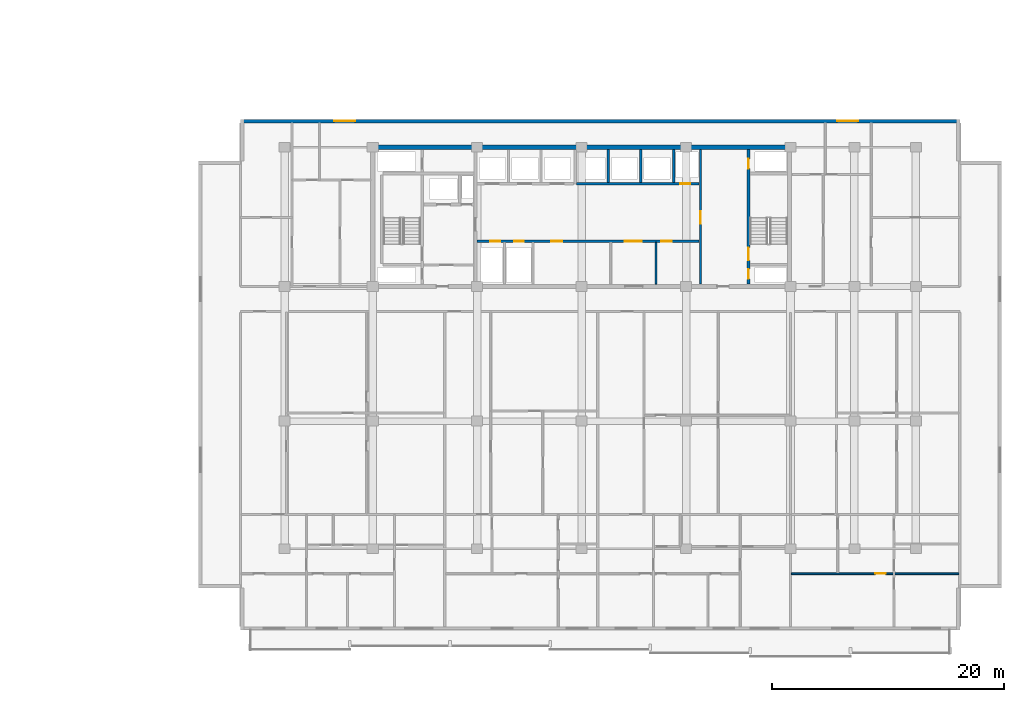
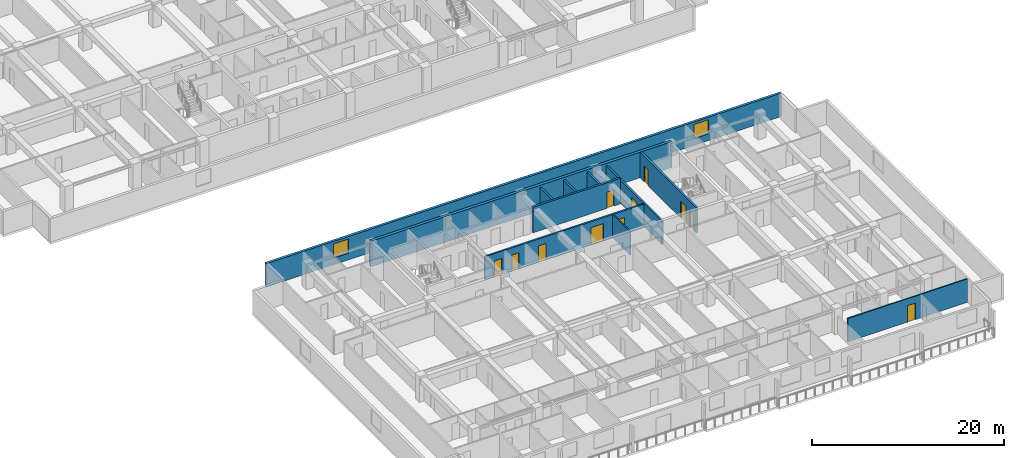
# One storey, part 8 of 23: 11 doors, 11 walls, 2 windows, 13 openings.
"""IFC4 building model written with IfcOpenShell, lengths in metres."""

import ifcopenshell
import ifcopenshell.guid

model = None  # the IFC model being written
_history = None  # IfcOwnerHistory: only IFC2X3 demands one
_inside = {}  # id of a spatial element -> (the spatial element, [elements in it])
_under = {}  # id of a project, library or spatial element -> (it, [spatial elements below it])
_declared = {}  # id of a project -> (the project, [libraries it declares])
_typed = {}  # id of a type object -> (the type object, [elements of that type])
_made_of = {}  # id of a material, layer set ... -> (it, [elements and type objects made of it])


def new_model(schema):
    """Start an empty IFC model of exactly this schema.

    Asked for "IFC4X3", IfcOpenShell would pick the latest addendum, in which some entities
    have other attributes; the version numbers below select the first issue.
    IFC2X3 requires an IfcOwnerHistory on every rooted entity: one is made here for all.
    """
    global model, _history
    if schema == "IFC4X3":
        model = ifcopenshell.file(schema_version=(4, 3, 0, 0))
    else:
        model = ifcopenshell.file(schema=schema)
    _inside.clear()
    _under.clear()
    _declared.clear()
    _typed.clear()
    _made_of.clear()
    _history = None
    if model.schema == "IFC2X3":
        org = make("IfcOrganization", Name="unknown")
        user = make(
            "IfcPersonAndOrganization",
            ThePerson=make("IfcPerson", FamilyName="unknown"),
            TheOrganization=org,
        )
        app = make(
            "IfcApplication",
            ApplicationDeveloper=org,
            Version="unknown",
            ApplicationFullName="unknown",
            ApplicationIdentifier="unknown",
        )
        _history = make(
            "IfcOwnerHistory",
            OwningUser=user,
            OwningApplication=app,
            ChangeAction="ADDED",
            CreationDate=0,
        )
    return model


def make(cls, **values):
    """One entity of the class cls with the attributes given. An attribute that is None is left unset."""
    return model.create_entity(
        cls, **{name: value for name, value in values.items() if value is not None}
    )


def rooted(cls, **values):
    """An entity with a GlobalId (a new one), such as an element, a storey or a relation."""
    return make(cls, GlobalId=ifcopenshell.guid.new(), OwnerHistory=_history, **values)


def si_unit(unit_type, name, prefix=None):
    """IfcSIUnit, for example si_unit("LENGTHUNIT", "METRE", prefix="MILLI")."""
    return make("IfcSIUnit", UnitType=unit_type, Prefix=prefix, Name=name)


def assignment(units):
    """IfcUnitAssignment: the units of a project."""
    return None if units is None else make("IfcUnitAssignment", Units=units)


def point(xyz):
    """IfcCartesianPoint."""
    return None if xyz is None else make("IfcCartesianPoint", Coordinates=xyz)


def direction(xyz):
    """IfcDirection."""
    return None if xyz is None else make("IfcDirection", DirectionRatios=xyz)


def frame(location, z_axis=None, x_axis=None):
    """IfcAxis2Placement3D, a coordinate frame: its origin and axes. An axis left out is left unset."""
    return make(
        "IfcAxis2Placement3D",
        Location=point(location),
        Axis=direction(z_axis),
        RefDirection=direction(x_axis),
    )


def frame_2d(location, x_axis=None):
    """IfcAxis2Placement2D, a coordinate frame in the plane: its origin and x axis."""
    return make(
        "IfcAxis2Placement2D", Location=point(location), RefDirection=direction(x_axis)
    )


def origin():
    """The frame at (0, 0, 0) with its axes left unset."""
    return frame((0.0, 0.0, 0.0))


def place(relative_to, where):
    """IfcLocalPlacement: puts the frame where relative to a parent placement (None: the world)."""
    return make(
        "IfcLocalPlacement", PlacementRelTo=relative_to, RelativePlacement=where
    )


def context(
    kind, dimensions, precision=None, world=None, true_north=None, identifier=None
):
    """IfcGeometricRepresentationContext, for example the 3D "Model" context."""
    return make(
        "IfcGeometricRepresentationContext",
        ContextIdentifier=identifier,
        ContextType=kind,
        CoordinateSpaceDimension=dimensions,
        Precision=precision,
        WorldCoordinateSystem=world,
        TrueNorth=true_north,
    )


def subcontext(parent, identifier, kind, view, scale=None):
    """IfcGeometricRepresentationSubContext, for example "Body" below "Model"."""
    return make(
        "IfcGeometricRepresentationSubContext",
        ContextIdentifier=identifier,
        ContextType=kind,
        ParentContext=parent,
        TargetScale=scale,
        TargetView=view,
    )


def project(units=None, contexts=None):
    """IfcProject with its units and contexts."""
    return rooted(
        "IfcProject",
        Name="project",
        RepresentationContexts=contexts,
        UnitsInContext=assignment(units),
    )


def spatial(cls, under=None, at=None, **own):
    """A site, building, storey or space (cls), placed at a placement, below another one or the project."""
    s = rooted(cls, ObjectPlacement=at, **own)
    if under is not None:
        _under.setdefault(under.id(), (under, []))[1].append(s)
    return s


def profile(cls, at=None, kind="AREA", **sizes):
    """A parametric profile (cls). Its sizes go by their IFC names, for example OverallWidth=200.0."""
    return make(cls, ProfileType=kind, Position=at, **sizes)


def rectangle(**sizes):
    """IfcRectangleProfileDef."""
    return profile("IfcRectangleProfileDef", **sizes)


def extrude(swept, where, along, depth):
    """IfcExtrudedAreaSolid: the profile swept, set in the frame where, extruded along a direction by depth."""
    return make(
        "IfcExtrudedAreaSolid",
        SweptArea=swept,
        Position=where,
        ExtrudedDirection=direction(along),
        Depth=depth,
    )


def shape(context_of_items, identifier, shape_type, items):
    """IfcShapeRepresentation: the items that make up one representation, for example the "Body"."""
    return make(
        "IfcShapeRepresentation",
        ContextOfItems=context_of_items,
        RepresentationIdentifier=identifier,
        RepresentationType=shape_type,
        Items=items,
    )


def material(Name=None, Category=None):
    """IfcMaterial."""
    return make("IfcMaterial", Name=Name, Category=Category)


def layer(
    of_material, thickness, ventilated=None, Name=None, Category=None, Priority=None
):
    """IfcMaterialLayer: one layer of a wall or slab, of a material (None: an air gap)."""
    return make(
        "IfcMaterialLayer",
        Material=of_material,
        LayerThickness=thickness,
        IsVentilated=ventilated,
        Name=Name,
        Category=Category,
        Priority=Priority,
    )


def layer_set(layers, Name=None):
    """IfcMaterialLayerSet."""
    return make("IfcMaterialLayerSet", MaterialLayers=layers, LayerSetName=Name)


def made_of(thing, what):
    """Note that an element or type object is made of a material, layer set ...; save() writes the relation."""
    if what is not None:
        _made_of.setdefault(what.id(), (what, []))[1].append(thing)
    return thing


def type_object(cls, material=None, **own):
    """A type object (cls), such as IfcWallType, which elements share."""
    return made_of(rooted(cls, **own), material)


def element(
    cls,
    number,
    at=None,
    inside=None,
    cuts=None,
    type_object=None,
    material=None,
    context=None,
    identifier="Body",
    shape_type=None,
    held_by="IfcProductDefinitionShape",
    body=None,
    shapes=None,
    **own,
):
    """One element of the class cls, such as IfcWall. Its Tag is "e" and its number.

    at: its placement. inside: the storey or other place that contains it. cuts: it is an
    opening in that element (IfcRelVoidsElement). A single representation is given by context,
    identifier, shape_type and body (its items); several are given by shapes. held_by: the class
    of the entity that holds the representations. save() writes the other relations.
    """
    e = rooted(cls, Tag="e%d" % number, ObjectPlacement=at, **own)
    if body is not None:
        shapes = [shape(context, identifier, shape_type, body)]
    if shapes is not None:
        e.Representation = make(held_by, Representations=shapes)
    if inside is not None:
        _inside.setdefault(inside.id(), (inside, []))[1].append(e)
    if cuts is not None:
        rooted(
            "IfcRelVoidsElement", RelatingBuildingElement=cuts, RelatedOpeningElement=e
        )
    if type_object is not None:
        _typed.setdefault(type_object.id(), (type_object, []))[1].append(e)
    return made_of(e, material)


def fill(opening, filler):
    """IfcRelFillsElement: the door or window that sits in an opening."""
    return rooted(
        "IfcRelFillsElement",
        RelatingOpeningElement=opening,
        RelatedBuildingElement=filler,
    )


def aggregate(whole, parts):
    """IfcRelAggregates: a whole, such as a stair, and the parts it consists of."""
    return rooted("IfcRelAggregates", RelatingObject=whole, RelatedObjects=parts)


def save(model, path):
    """Write the relations noted so far, then the file.

    IfcRelAggregates (storeys below a building ...), IfcRelContainedInSpatialStructure (elements
    in a storey), IfcRelDefinesByType, IfcRelAssociatesMaterial and IfcRelDeclares: one each for
    every whole, place, type object, material and project.
    """
    for whole, parts in _under.values():
        aggregate(whole, parts)
    for where, things in _inside.values():
        rooted(
            "IfcRelContainedInSpatialStructure",
            RelatedElements=things,
            RelatingStructure=where,
        )
    for kind, things in _typed.values():
        rooted("IfcRelDefinesByType", RelatedObjects=things, RelatingType=kind)
    for what, things in _made_of.values():
        rooted("IfcRelAssociatesMaterial", RelatedObjects=things, RelatingMaterial=what)
    for by, libraries in _declared.values():
        rooted("IfcRelDeclares", RelatingContext=by, RelatedDefinitions=libraries)
    model.write(path)


model = new_model("IFC4")

# Units and contexts
model_context = context("Model", 3, precision=1e-05, world=origin(), true_north=direction((0.0, 1.0)))
body_context = subcontext(model_context, "Body", "Model", "MODEL_VIEW")
ifc_project = project(units=[si_unit("LENGTHUNIT", "METRE"), si_unit("AREAUNIT", "SQUARE_METRE"), si_unit("VOLUMEUNIT", "CUBIC_METRE"), si_unit("PLANEANGLEUNIT", "RADIAN"), si_unit("MASSUNIT", "GRAM", prefix="KILO")], contexts=[model_context])

# Site, building, storey
site_placement = place(None, origin())
site = spatial("IfcSite", under=ifc_project, at=site_placement, CompositionType="ELEMENT")
building_placement = place(site_placement, origin())
building = spatial("IfcBuilding", under=site, at=building_placement, Name="Korimba Cascade Residences", CompositionType="ELEMENT")
storey_placement = place(building_placement, frame((0.0, 0.0, 72.75)))
storey = spatial("IfcBuildingStorey", under=building, at=storey_placement, Name="L20", CompositionType="ELEMENT", Elevation=72.75)

# Wall, openings, windows
ifc_material_1 = material(Name="Precast concrete C40/50", Category="concrete")
ifc_layer_1 = layer(ifc_material_1, 0.300048828125)
ifc_layer_set_1 = layer_set([ifc_layer_1], Name="Precast concrete C40/50")
wall_type_1 = type_object("IfcWallType", Name="EW-STONE-300", PredefinedType="STANDARD", material=ifc_layer_set_1)
wall_1_placement = place(storey_placement, frame((132.699951171875, 32.64990234375, 0.0), z_axis=(0.0, 0.0, 1.0), x_axis=(-1.0, 0.0, 0.0)))
wall_1 = element("IfcWall", 1, at=wall_1_placement, inside=storey, type_object=wall_type_1, Name="L20 T2 Perimeter Stone Wall E06", PredefinedType="STANDARD", context=body_context, shape_type="SweptSolid", body=[
    extrude(rectangle(XDim=62.0, YDim=0.300048828125, at=frame_2d((31.0, 0.0))), origin(), (0.0, 0.0, 1.0), 2.969970703125),
])
opening_1_placement = place(wall_1_placement, frame((52.125, 0.0, 0.85009765625)))
opening_1 = element("IfcOpeningElement", 2, at=opening_1_placement, cuts=wall_1, Name="Opening W-02", PredefinedType="OPENING", context=body_context, shape_type="SweptSolid", body=[
    extrude(rectangle(XDim=1.800048828125, YDim=1.800048828125, at=frame_2d((0.89990234375, 0.89990234375))), frame((0.0, 0.16015625, 0.0), z_axis=(0.0, -1.0, 0.0), x_axis=(1.0, 0.0, 0.0)), (0.0, 0.0, 1.0), 0.320068359375),
])
opening_2_placement = place(wall_1_placement, frame((8.77490234375, 0.0, 0.85009765625)))
opening_2 = element("IfcOpeningElement", 3, at=opening_2_placement, cuts=wall_1, Name="Opening W-02", PredefinedType="OPENING", context=body_context, shape_type="SweptSolid", body=[
    extrude(rectangle(XDim=1.800048828125, YDim=1.800048828125, at=frame_2d((0.89990234375, 0.89990234375))), frame((0.0, 0.16015625, 0.0), z_axis=(0.0, -1.0, 0.0), x_axis=(1.0, 0.0, 0.0)), (0.0, 0.0, 1.0), 0.320068359375),
])
ifc_material_2 = material(Name="Double-Glazed Aluminium Window", Category="aluminium")
window_type = type_object("IfcWindowType", Name="WIN-BED-1800", PartitioningType="SINGLE_PANEL", PredefinedType="WINDOW", material=ifc_material_2)
window_1_placement = place(opening_1_placement, origin())
window_1 = element("IfcWindow", 4, at=window_1_placement, inside=storey, type_object=window_type, Name="L20 T2 North Corner Bedroom Window 1", OverallHeight=1.800048828125, OverallWidth=1.800048828125, PartitioningType="SINGLE_PANEL", PredefinedType="WINDOW", context=body_context, shape_type="SweptSolid", body=[
    extrude(rectangle(XDim=1.800048828125, YDim=1.800048828125, at=frame_2d((0.89990234375, 0.89990234375))), frame((0.0, 0.030029296875, 0.0), z_axis=(0.0, -1.0, 0.0), x_axis=(1.0, 0.0, 0.0)), (0.0, 0.0, 1.0), 0.06005859375),
])
fill(opening_1, window_1)
window_2_placement = place(opening_2_placement, origin())
window_2 = element("IfcWindow", 5, at=window_2_placement, inside=storey, type_object=window_type, Name="L20 T2 North Corner Bedroom Window 2", OverallHeight=1.800048828125, OverallWidth=1.800048828125, PartitioningType="SINGLE_PANEL", PredefinedType="WINDOW", context=body_context, shape_type="SweptSolid", body=[
    extrude(rectangle(XDim=1.800048828125, YDim=1.800048828125, at=frame_2d((0.89990234375, 0.89990234375))), frame((0.0, 0.030029296875, 0.0), z_axis=(0.0, -1.0, 0.0), x_axis=(1.0, 0.0, 0.0)), (0.0, 0.0, 1.0), 0.06005859375),
])
fill(opening_2, window_2)

# Walls
ifc_material_3 = material(Name="Concrete C65/80", Category="concrete")
ifc_layer_2 = layer(ifc_material_3, 0.35009765625)
ifc_layer_set_2 = layer_set([ifc_layer_2], Name="Concrete C65/80")
wall_type_2 = type_object("IfcWallType", Name="WAL-CORE-350", PredefinedType="SHEAR", material=ifc_layer_set_2)
wall_2_placement = place(storey_placement, frame((81.925048828125, 30.39990234375, 0.0), z_axis=(0.0, 0.0, 1.0), x_axis=(1.0, 0.0, 0.0)))
element("IfcWall", 6, at=wall_2_placement, inside=storey, type_object=wall_type_2, Name="L20 Core Shear Wall CW-L20-T2-N", PredefinedType="SHEAR", context=body_context, shape_type="SweptSolid", body=[
    extrude(rectangle(XDim=36.264892578125, YDim=0.35009765625, at=frame_2d((18.13232421875, 0.0))), origin(), (0.0, 0.0, 1.0), 3.25),
])
ifc_material_4 = material(Name="Insulated Acoustic Stud Partition", Category="gypsum")
ifc_layer_3 = layer(ifc_material_4, 0.14990234375)
ifc_layer_set_3 = layer_set([ifc_layer_3], Name="Insulated Acoustic Stud Partition")
wall_type_3 = type_object("IfcWallType", Name="WAL-PART-150", PredefinedType="PARTITIONING", material=ifc_layer_set_3)
wall_3_placement = place(storey_placement, frame((106.5, 18.60009765625, 0.0), z_axis=(0.0, 0.0, 1.0), x_axis=(0.0, 1.0, 0.0)))
element("IfcWall", 7, at=wall_3_placement, inside=storey, type_object=wall_type_3, Name="L20 Partition Wall CW-L20-T2-THE", PredefinedType="PARTITIONING", context=body_context, shape_type="SweptSolid", body=[
    extrude(rectangle(XDim=3.599853515625, YDim=0.14990234375, at=frame_2d((1.7998046875, 0.0))), origin(), (0.0, 0.0, 1.0), 2.969970703125),
])

# Wall, opening, door
wall_4_placement = place(storey_placement, frame((118.179931640625, -6.35009765625, 0.0), z_axis=(0.0, 0.0, 1.0), x_axis=(1.0, 0.0, 0.0)))
wall_4 = element("IfcWall", 8, at=wall_4_placement, inside=storey, type_object=wall_type_3, Name="L20 Partition Wall WAL-L20-T2-U04-HZ", PredefinedType="PARTITIONING", context=body_context, shape_type="SweptSolid", body=[
    extrude(rectangle(XDim=14.440185546875, YDim=0.14990234375, at=frame_2d((7.22021484375, 0.0))), origin(), (0.0, 0.0, 1.0), 2.969970703125),
])
opening_3_placement = place(wall_4_placement, frame((7.2060546875, 0.0, 0.0)))
opening_3 = element("IfcOpeningElement", 9, at=opening_3_placement, cuts=wall_4, Name="Opening D-IN0", PredefinedType="OPENING", context=body_context, shape_type="SweptSolid", body=[
    extrude(rectangle(XDim=0.93994140625, YDim=2.10009765625, at=frame_2d((0.469970703125, 1.050048828125))), frame((0.0, 0.0849609375, 0.0), z_axis=(0.0, -1.0, 0.0), x_axis=(1.0, 0.0, 0.0)), (0.0, 0.0, 1.0), 0.169921875),
])
ifc_material_5 = material(Name="Acoustic Timber Living Archway Door", Category="wood")
door_type_1 = type_object("IfcDoorType", Name="DR-INT-950", OperationType="NOTDEFINED", PredefinedType="DOOR", material=ifc_material_5)
door_1_placement = place(opening_3_placement, origin())
door_1 = element("IfcDoor", 10, at=door_1_placement, inside=storey, type_object=door_type_1, Name="L20-T2-U04 Living Archway Door", OperationType="SINGLE_SWING_LEFT", OverallHeight=2.10009765625, OverallWidth=0.93994140625, PredefinedType="DOOR", context=body_context, shape_type="SweptSolid", body=[
    extrude(rectangle(XDim=0.93994140625, YDim=2.10009765625, at=frame_2d((0.469970703125, 1.050048828125))), frame((0.0, 0.02490234375, 0.0), z_axis=(0.0, -1.0, 0.0), x_axis=(1.0, 0.0, 0.0)), (0.0, 0.0, 1.0), 0.050048828125),
])
fill(opening_3, door_1)

# Walls
ifc_material_6 = material(Name="Concrete C40/50", Category="concrete")
ifc_layer_4 = layer(ifc_material_6, 0.199951171875)
ifc_layer_set_4 = layer_set([ifc_layer_4], Name="Concrete C40/50")
wall_type_4 = type_object("IfcWallType", Name="WAL-PART-200", PredefinedType="PARTITIONING", material=ifc_layer_set_4)
for number, where, z_axis, x_axis, name in (
    (11, (102.39990234375, 27.3798828125, 0.0), (0.0, 0.0, 1.0), (0.0, 1.0, 0.0), "L20 Partition Wall CW-L20-T2-B2D1"),
    (12, (105.199951171875, 27.3798828125, 0.0), (0.0, 0.0, 1.0), (0.0, 1.0, 0.0), "L20 Partition Wall CW-L20-T2-B2D2"),
    (13, (108.050048828125, 27.3798828125, 0.0), (0.0, 0.0, 1.0), (0.0, 1.0, 0.0), "L20 Partition Wall CW-L20-T2-B2D3"),
):
    element("IfcWall", number, at=place(storey_placement, frame(where, z_axis=z_axis, x_axis=x_axis)), inside=storey, type_object=wall_type_4, Name=name, PredefinedType="PARTITIONING", context=body_context, shape_type="SweptSolid", body=[
        extrude(rectangle(XDim=2.820068359375, YDim=0.199951171875, at=frame_2d((1.41015625, 0.0))), origin(), (0.0, 0.0, 1.0), 2.969970703125),
    ])

# Wall, openings, doors
wall_5_placement = place(storey_placement, frame((91.080078125, 22.300048828125, 0.0), z_axis=(0.0, 0.0, 1.0), x_axis=(1.0, 0.0, 0.0)))
wall_5 = element("IfcWall", 14, at=wall_5_placement, inside=storey, type_object=wall_type_4, Name="L20 Partition Wall CW-L20-T2-SRVROW", PredefinedType="PARTITIONING", context=body_context, shape_type="SweptSolid", body=[
    extrude(rectangle(XDim=19.139892578125, YDim=0.199951171875, at=frame_2d((9.56982421875, 0.0))), origin(), (0.0, 0.0, 1.0), 2.969970703125),
])
opening_4_placement = place(wall_5_placement, frame((1.14990234375, 0.0, 0.0)))
opening_4 = element("IfcOpeningElement", 15, at=opening_4_placement, cuts=wall_5, Name="Opening D-RS1", PredefinedType="OPENING", context=body_context, shape_type="SweptSolid", body=[
    extrude(rectangle(XDim=0.85009765625, YDim=2.050048828125, at=frame_2d((0.425048828125, 1.02490234375))), frame((0.0, 0.10986328125, 0.0), z_axis=(0.0, -1.0, 0.0), x_axis=(1.0, 0.0, 0.0)), (0.0, 0.0, 1.0), 0.219970703125),
])
opening_5_placement = place(wall_5_placement, frame((3.199951171875, 0.0, 0.0)))
opening_5 = element("IfcOpeningElement", 16, at=opening_5_placement, cuts=wall_5, Name="Opening D-RS1", PredefinedType="OPENING", context=body_context, shape_type="SweptSolid", body=[
    extrude(rectangle(XDim=0.85009765625, YDim=2.050048828125, at=frame_2d((0.425048828125, 1.02490234375))), frame((0.0, 0.10986328125, 0.0), z_axis=(0.0, -1.0, 0.0), x_axis=(1.0, 0.0, 0.0)), (0.0, 0.0, 1.0), 0.219970703125),
])
opening_6_placement = place(wall_5_placement, frame((12.719970703125, 0.0, 0.0)))
opening_6 = element("IfcOpeningElement", 17, at=opening_6_placement, cuts=wall_5, Name="Opening D-FD8", PredefinedType="OPENING", context=body_context, shape_type="SweptSolid", body=[
    extrude(rectangle(XDim=1.5, YDim=2.199951171875, at=frame_2d((0.75, 1.10009765625))), frame((0.0, 0.10986328125, 0.0), z_axis=(0.0, -1.0, 0.0), x_axis=(1.0, 0.0, 0.0)), (0.0, 0.0, 1.0), 0.219970703125),
])
opening_7_placement = place(wall_5_placement, frame((6.419921875, 0.0, 0.0)))
opening_7 = element("IfcOpeningElement", 18, at=opening_7_placement, cuts=wall_5, Name="Opening D-IN1", PredefinedType="OPENING", context=body_context, shape_type="SweptSolid", body=[
    extrude(rectangle(XDim=0.919921875, YDim=2.080078125, at=frame_2d((0.4599609375, 1.0400390625))), frame((0.0, 0.10986328125, 0.0), z_axis=(0.0, -1.0, 0.0), x_axis=(1.0, 0.0, 0.0)), (0.0, 0.0, 1.0), 0.219970703125),
])
opening_8_placement = place(wall_5_placement, frame((15.8701171875, 0.0, 0.0)))
opening_8 = element("IfcOpeningElement", 19, at=opening_8_placement, cuts=wall_5, Name="Opening D-IN1", PredefinedType="OPENING", context=body_context, shape_type="SweptSolid", body=[
    extrude(rectangle(XDim=0.919921875, YDim=2.080078125, at=frame_2d((0.4599609375, 1.0400390625))), frame((0.0, 0.10986328125, 0.0), z_axis=(0.0, -1.0, 0.0), x_axis=(1.0, 0.0, 0.0)), (0.0, 0.0, 1.0), 0.219970703125),
])
ifc_material_7 = material(Name="Fire-Rated Steel Riser Access Door", Category="steel")
door_type_2 = type_object("IfcDoorType", Name="DR-FD60-850", OperationType="NOTDEFINED", PredefinedType="DOOR", material=ifc_material_7)
door_2_placement = place(opening_4_placement, origin())
door_2 = element("IfcDoor", 20, at=door_2_placement, inside=storey, type_object=door_type_2, Name="L20 T2 Electrical Riser Door", OperationType="SINGLE_SWING_LEFT", OverallHeight=2.050048828125, OverallWidth=0.85009765625, PredefinedType="DOOR", context=body_context, shape_type="SweptSolid", body=[
    extrude(rectangle(XDim=0.85009765625, YDim=2.050048828125, at=frame_2d((0.425048828125, 1.02490234375))), frame((0.0, 0.02490234375, 0.0), z_axis=(0.0, -1.0, 0.0), x_axis=(1.0, 0.0, 0.0)), (0.0, 0.0, 1.0), 0.050048828125),
])
fill(opening_4, door_2)
door_3_placement = place(opening_5_placement, origin())
door_3 = element("IfcDoor", 21, at=door_3_placement, inside=storey, type_object=door_type_2, Name="L20 T2 Plumbing Riser Door", OperationType="SINGLE_SWING_RIGHT", OverallHeight=2.050048828125, OverallWidth=0.85009765625, PredefinedType="DOOR", context=body_context, shape_type="SweptSolid", body=[
    extrude(rectangle(XDim=0.85009765625, YDim=2.050048828125, at=frame_2d((0.425048828125, 1.02490234375))), frame((0.0, 0.02490234375, 0.0), z_axis=(0.0, -1.0, 0.0), x_axis=(1.0, 0.0, 0.0)), (0.0, 0.0, 1.0), 0.050048828125),
])
fill(opening_5, door_3)
ifc_material_8 = material(Name="Fire-Rated Glazed Lift Lobby Double Door", Category="glass")
door_type_3 = type_object("IfcDoorType", Name="DR-FD90-1500", OperationType="NOTDEFINED", PredefinedType="DOOR", material=ifc_material_8)
door_4_placement = place(opening_6_placement, origin())
door_4 = element("IfcDoor", 22, at=door_4_placement, inside=storey, type_object=door_type_3, Name="L20 T2 Lift Lobby Foyer Door", OperationType="DOUBLE_DOOR_SINGLE_SWING", OverallHeight=2.199951171875, OverallWidth=1.5, PredefinedType="DOOR", context=body_context, shape_type="SweptSolid", body=[
    extrude(rectangle(XDim=1.5, YDim=2.199951171875, at=frame_2d((0.75, 1.10009765625))), frame((0.0, 0.02490234375, 0.0), z_axis=(0.0, -1.0, 0.0), x_axis=(1.0, 0.0, 0.0)), (0.0, 0.0, 1.0), 0.050048828125),
])
fill(opening_6, door_4)
ifc_material_9 = material(Name="Acoustic Timber Living Door", Category="wood")
door_type_4 = type_object("IfcDoorType", Name="DR-INT-920", OperationType="NOTDEFINED", PredefinedType="DOOR", material=ifc_material_9)
door_5_placement = place(opening_7_placement, origin())
door_5 = element("IfcDoor", 23, at=door_5_placement, inside=storey, type_object=door_type_4, Name="L20 T2 Housekeeping Door", OperationType="SINGLE_SWING_LEFT", OverallHeight=2.080078125, OverallWidth=0.919921875, PredefinedType="DOOR", context=body_context, shape_type="SweptSolid", body=[
    extrude(rectangle(XDim=0.919921875, YDim=2.080078125, at=frame_2d((0.4599609375, 1.0400390625))), frame((0.0, 0.02490234375, 0.0), z_axis=(0.0, -1.0, 0.0), x_axis=(1.0, 0.0, 0.0)), (0.0, 0.0, 1.0), 0.050048828125),
])
fill(opening_7, door_5)
door_6_placement = place(opening_8_placement, origin())
door_6 = element("IfcDoor", 24, at=door_6_placement, inside=storey, type_object=door_type_4, Name="L20 T2 Store Door", OperationType="SINGLE_SWING_RIGHT", OverallHeight=2.080078125, OverallWidth=0.919921875, PredefinedType="DOOR", context=body_context, shape_type="SweptSolid", body=[
    extrude(rectangle(XDim=0.919921875, YDim=2.080078125, at=frame_2d((0.4599609375, 1.0400390625))), frame((0.0, 0.02490234375, 0.0), z_axis=(0.0, -1.0, 0.0), x_axis=(1.0, 0.0, 0.0)), (0.0, 0.0, 1.0), 0.050048828125),
])
fill(opening_8, door_6)

# Wall, opening, door
wall_6_placement = place(storey_placement, frame((110.35009765625, 18.60009765625, 0.0), z_axis=(0.0, 0.0, 1.0), x_axis=(0.0, 1.0, 0.0)))
wall_6 = element("IfcWall", 25, at=wall_6_placement, inside=storey, type_object=wall_type_4, Name="L20 Partition Wall CW-L20-T2-LLEV", PredefinedType="PARTITIONING", context=body_context, shape_type="SweptSolid", body=[
    extrude(rectangle(XDim=11.599853515625, YDim=0.199951171875, at=frame_2d((5.7998046875, 0.0))), origin(), (0.0, 0.0, 1.0), 2.969970703125),
])
opening_9_placement = place(wall_6_placement, frame((5.199951171875, 0.0, 0.0)))
opening_9 = element("IfcOpeningElement", 26, at=opening_9_placement, cuts=wall_6, Name="Opening D-FD6", PredefinedType="OPENING", context=body_context, shape_type="SweptSolid", body=[
    extrude(rectangle(XDim=1.10009765625, YDim=2.14990234375, at=frame_2d((0.550048828125, 1.074951171875))), frame((0.0, 0.10986328125, 0.0), z_axis=(0.0, -1.0, 0.0), x_axis=(1.0, 0.0, 0.0)), (0.0, 0.0, 1.0), 0.219970703125),
])
ifc_material_10 = material(Name="Fire-Rated Timber Stair Lobby Door", Category="wood")
door_type_5 = type_object("IfcDoorType", Name="DR-FD90-1100", OperationType="NOTDEFINED", PredefinedType="DOOR", material=ifc_material_10)
door_7_placement = place(opening_9_placement, origin())
door_7 = element("IfcDoor", 27, at=door_7_placement, inside=storey, type_object=door_type_5, Name="L20 T2 Lift Lobby to East Stair Lobby Door", OperationType="SINGLE_SWING_LEFT", OverallHeight=2.14990234375, OverallWidth=1.10009765625, PredefinedType="DOOR", context=body_context, shape_type="SweptSolid", body=[
    extrude(rectangle(XDim=1.10009765625, YDim=2.14990234375, at=frame_2d((0.550048828125, 1.074951171875))), frame((0.0, 0.02490234375, 0.0), z_axis=(0.0, -1.0, 0.0), x_axis=(1.0, 0.0, 0.0)), (0.0, 0.0, 1.0), 0.050048828125),
])
fill(opening_9, door_7)

ifc_material_11 = material(Name="Concrete C50/60", Category="concrete")
ifc_layer_5 = layer(ifc_material_11, 0.25)
ifc_layer_set_5 = layer_set([ifc_layer_5], Name="Concrete C50/60")
wall_type_5 = type_object("IfcWallType", Name="WAL-SHAFT-250", PredefinedType="SHEAR", material=ifc_layer_set_5)
wall_7_placement = place(storey_placement, frame((99.679931640625, 27.25, 0.0), z_axis=(0.0, 0.0, 1.0), x_axis=(1.0, 0.0, 0.0)))
wall_7 = element("IfcWall", 28, at=wall_7_placement, inside=storey, type_object=wall_type_5, Name="L20 Core Shear Wall CW-L20-T2-B2S", PredefinedType="SHEAR", context=body_context, shape_type="SweptSolid", body=[
    extrude(rectangle(XDim=10.5400390625, YDim=0.25, at=frame_2d((5.27001953125, 0.0))), origin(), (0.0, 0.0, 1.0), 3.25),
])
opening_10_placement = place(wall_7_placement, frame((8.919921875, 0.0, 0.0)))
opening_10 = element("IfcOpeningElement", 29, at=opening_10_placement, cuts=wall_7, Name="Opening D-RS1", PredefinedType="OPENING", context=body_context, shape_type="SweptSolid", body=[
    extrude(rectangle(XDim=0.85009765625, YDim=2.050048828125, at=frame_2d((0.425048828125, 1.02490234375))), frame((0.0, 0.135009765625, 0.0), z_axis=(0.0, -1.0, 0.0), x_axis=(1.0, 0.0, 0.0)), (0.0, 0.0, 1.0), 0.27001953125),
])
door_8_placement = place(opening_10_placement, origin())
door_8 = element("IfcDoor", 30, at=door_8_placement, inside=storey, type_object=door_type_2, Name="L20 T2 Duct Door", OperationType="SINGLE_SWING_RIGHT", OverallHeight=2.050048828125, OverallWidth=0.85009765625, PredefinedType="DOOR", context=body_context, shape_type="SweptSolid", body=[
    extrude(rectangle(XDim=0.85009765625, YDim=2.050048828125, at=frame_2d((0.425048828125, 1.02490234375))), frame((0.0, 0.02490234375, 0.0), z_axis=(0.0, -1.0, 0.0), x_axis=(1.0, 0.0, 0.0)), (0.0, 0.0, 1.0), 0.050048828125),
])
fill(opening_10, door_8)

# Wall, openings, doors
wall_8_placement = place(storey_placement, frame((114.47509765625, 18.60009765625, 0.0), z_axis=(0.0, 0.0, 1.0), x_axis=(0.0, 1.0, 0.0)))
wall_8 = element("IfcWall", 31, at=wall_8_placement, inside=storey, type_object=wall_type_5, Name="L20 Core Shear Wall CW-L20-T2-STE2W", PredefinedType="SHEAR", context=body_context, shape_type="SweptSolid", body=[
    extrude(rectangle(XDim=11.599853515625, YDim=0.25, at=frame_2d((5.7998046875, 0.0))), origin(), (0.0, 0.0, 1.0), 3.25),
])
opening_11_placement = place(wall_8_placement, frame((0.449951171875, 0.0, 0.0)))
opening_11 = element("IfcOpeningElement", 32, at=opening_11_placement, cuts=wall_8, Name="Opening D-RS1", PredefinedType="OPENING", context=body_context, shape_type="SweptSolid", body=[
    extrude(rectangle(XDim=0.85009765625, YDim=2.050048828125, at=frame_2d((0.425048828125, 1.02490234375))), frame((0.0, 0.135009765625, 0.0), z_axis=(0.0, -1.0, 0.0), x_axis=(1.0, 0.0, 0.0)), (0.0, 0.0, 1.0), 0.27001953125),
])
opening_12_placement = place(wall_8_placement, frame((2.050048828125, 0.0, 0.0)))
opening_12 = element("IfcOpeningElement", 33, at=opening_12_placement, cuts=wall_8, Name="Opening D-FD1", PredefinedType="OPENING", context=body_context, shape_type="SweptSolid", body=[
    extrude(rectangle(XDim=1.10009765625, YDim=2.10009765625, at=frame_2d((0.550048828125, 1.050048828125))), frame((0.0, 0.135009765625, 0.0), z_axis=(0.0, -1.0, 0.0), x_axis=(1.0, 0.0, 0.0)), (0.0, 0.0, 1.0), 0.27001953125),
])
opening_13_placement = place(wall_8_placement, frame((9.949951171875, 0.0, 0.0)))
opening_13 = element("IfcOpeningElement", 34, at=opening_13_placement, cuts=wall_8, Name="Opening D-RS1", PredefinedType="OPENING", context=body_context, shape_type="SweptSolid", body=[
    extrude(rectangle(XDim=0.85009765625, YDim=2.050048828125, at=frame_2d((0.425048828125, 1.02490234375))), frame((0.0, 0.135009765625, 0.0), z_axis=(0.0, -1.0, 0.0), x_axis=(1.0, 0.0, 0.0)), (0.0, 0.0, 1.0), 0.27001953125),
])
ifc_material_12 = material(Name="Fire-Rated Steel Core Door", Category="steel")
door_type_6 = type_object("IfcDoorType", Name="DR-FD120-1100", OperationType="NOTDEFINED", PredefinedType="DOOR", material=ifc_material_12)
door_9_placement = place(opening_12_placement, origin())
door_9 = element("IfcDoor", 35, at=door_9_placement, inside=storey, type_object=door_type_6, Name="L20 Fire Stair ST-E2 Door", OperationType="SINGLE_SWING_LEFT", OverallHeight=2.10009765625, OverallWidth=1.10009765625, PredefinedType="DOOR", context=body_context, shape_type="SweptSolid", body=[
    extrude(rectangle(XDim=1.10009765625, YDim=2.10009765625, at=frame_2d((0.550048828125, 1.050048828125))), frame((0.0, 0.02490234375, 0.0), z_axis=(0.0, -1.0, 0.0), x_axis=(1.0, 0.0, 0.0)), (0.0, 0.0, 1.0), 0.050048828125),
])
fill(opening_12, door_9)
door_10_placement = place(opening_11_placement, origin())
door_10 = element("IfcDoor", 36, at=door_10_placement, inside=storey, type_object=door_type_2, Name="L20 T2 East Hydrant Door", OperationType="SINGLE_SWING_RIGHT", OverallHeight=2.050048828125, OverallWidth=0.85009765625, PredefinedType="DOOR", context=body_context, shape_type="SweptSolid", body=[
    extrude(rectangle(XDim=0.85009765625, YDim=2.050048828125, at=frame_2d((0.425048828125, 1.02490234375))), frame((0.0, 0.02490234375, 0.0), z_axis=(0.0, -1.0, 0.0), x_axis=(1.0, 0.0, 0.0)), (0.0, 0.0, 1.0), 0.050048828125),
])
fill(opening_11, door_10)
door_11_placement = place(opening_13_placement, origin())
door_11 = element("IfcDoor", 37, at=door_11_placement, inside=storey, type_object=door_type_2, Name="L20 T2 East Riser Door", OperationType="SINGLE_SWING_RIGHT", OverallHeight=2.050048828125, OverallWidth=0.85009765625, PredefinedType="DOOR", context=body_context, shape_type="SweptSolid", body=[
    extrude(rectangle(XDim=0.85009765625, YDim=2.050048828125, at=frame_2d((0.425048828125, 1.02490234375))), frame((0.0, 0.02490234375, 0.0), z_axis=(0.0, -1.0, 0.0), x_axis=(1.0, 0.0, 0.0)), (0.0, 0.0, 1.0), 0.050048828125),
])
fill(opening_13, door_11)

save(model, "model.ifc")
